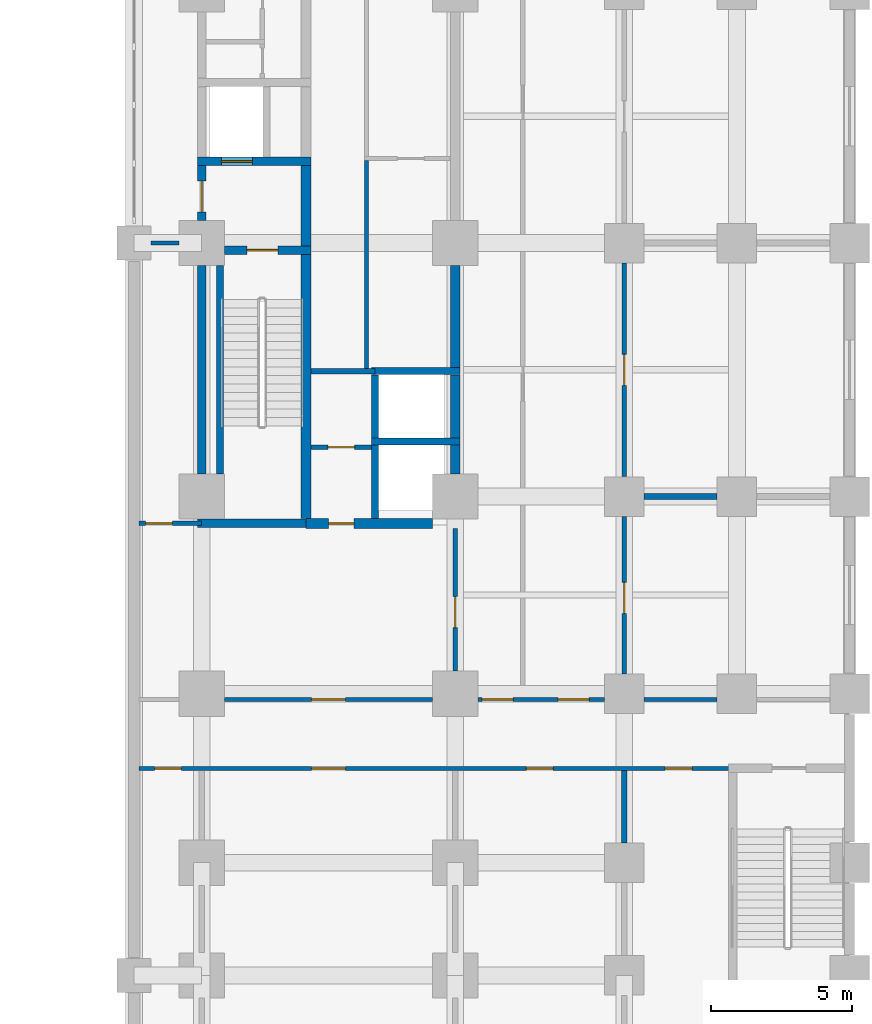
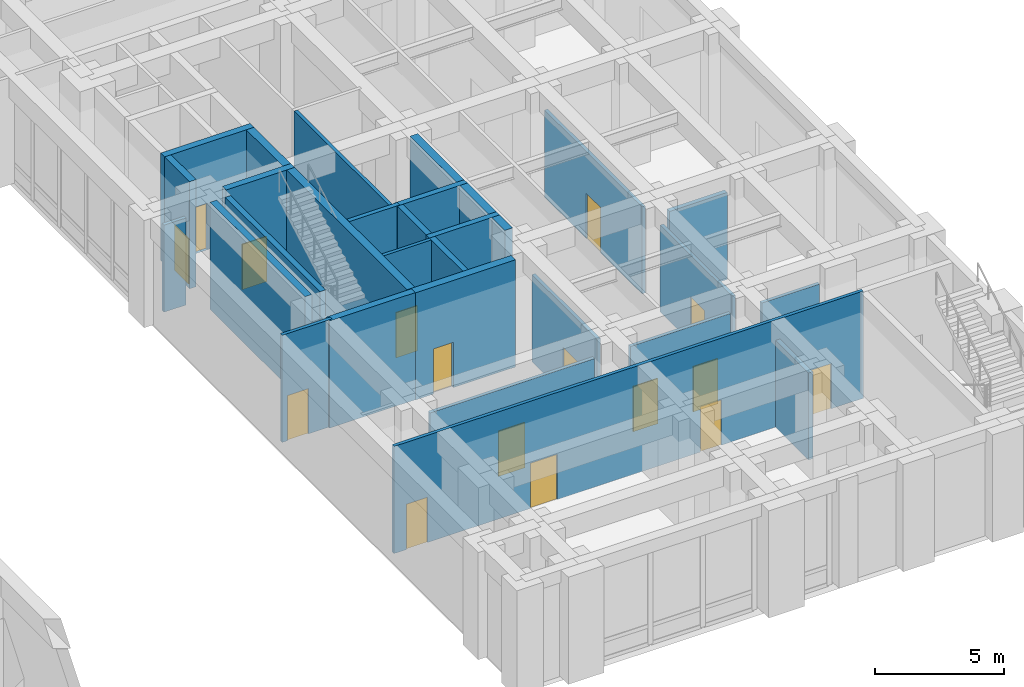
# One storey, part 10 of 21: 30 walls, 16 doors, 16 openings.
"""IFC4 building model written with IfcOpenShell, lengths in metres."""

from ifc_helpers import new_model, si_unit, direction, frame, frame_2d, origin, place, context, subcontext, project, spatial, rectangle, extrude, material, layer, layer_set, type_object, element, fill, save


model = new_model("IFC4")

# Units and contexts
model_context = context("Model", 3, precision=1e-05, world=origin(), true_north=direction((0.0, 1.0)))
body_context = subcontext(model_context, "Body", "Model", "MODEL_VIEW")
ifc_project = project(units=[si_unit("LENGTHUNIT", "METRE"), si_unit("AREAUNIT", "SQUARE_METRE"), si_unit("VOLUMEUNIT", "CUBIC_METRE"), si_unit("PLANEANGLEUNIT", "RADIAN"), si_unit("MASSUNIT", "GRAM", prefix="KILO")], contexts=[model_context])

# Site, building, storey
site_placement = place(None, origin())
site = spatial("IfcSite", under=ifc_project, at=site_placement, CompositionType="ELEMENT")
building_placement = place(site_placement, origin())
building = spatial("IfcBuilding", under=site, at=building_placement, Name="Zulmaris Gate Convention Tower", CompositionType="ELEMENT")
storey_placement = place(building_placement, frame((0.0, 0.0, 5.43994140625)))
storey = spatial("IfcBuildingStorey", under=building, at=storey_placement, Name="L01", CompositionType="ELEMENT", Elevation=5.43994140625)

# Walls
ifc_material_1 = material(Name="Concrete C50/60", Category="concrete")
ifc_layer_1 = layer(ifc_material_1, 0.25, Name="Concrete C50/60")
ifc_layer_set_1 = layer_set([ifc_layer_1], Name="Concrete C50/60")
wall_type_1 = type_object("IfcWallType", Name="CORE-250", PredefinedType="SOLIDWALL", material=ifc_layer_set_1)
for number, where, z_axis, x_axis, name in (
    (1, (17.02490234375, -7.050048828125, 0.0), (0.0, 0.0, 1.0), (1.0, 0.0, 0.0), "WL-L01-010"),
    (2, (17.02490234375, -4.550048828125, 0.0), (0.0, 0.0, 1.0), (1.0, 0.0, 0.0), "WL-L01-012"),
):
    element("IfcWall", number, at=place(storey_placement, frame(where, z_axis=z_axis, x_axis=x_axis)), inside=storey, type_object=wall_type_1, Name=name, PredefinedType="SOLIDWALL", context=body_context, shape_type="SweptSolid", body=[
        extrude(rectangle(XDim=3.150146484375, YDim=0.25, at=frame_2d((1.5751953125, 0.0))), origin(), (0.0, 0.0, 1.0), 5.08984375),
    ])
wall_1_placement = place(storey_placement, frame((11.64990234375, -8.196044921875, 0.0), z_axis=(0.0, 0.0, 1.0), x_axis=(0.0, 1.0, 0.0)))
element("IfcWall", 3, at=wall_1_placement, inside=storey, type_object=wall_type_1, Name="WL-L01-097", PredefinedType="SOLIDWALL", context=body_context, shape_type="SweptSolid", body=[
    extrude(rectangle(XDim=7.39208984375, YDim=0.25, at=frame_2d((3.696044921875, 0.0))), origin(), (0.0, 0.0, 1.0), 5.08984375),
])
wall_2_placement = place(storey_placement, frame((17.14990234375, -9.77294921875, 0.0), z_axis=(0.0, 0.0, 1.0), x_axis=(0.0, 1.0, 0.0)))
element("IfcWall", 4, at=wall_2_placement, inside=storey, type_object=wall_type_1, Name="WL-L01-103", PredefinedType="SOLIDWALL", context=body_context, shape_type="SweptSolid", body=[
    extrude(rectangle(XDim=2.595947265625, YDim=0.25, at=frame_2d((1.2978515625, 0.0))), origin(), (0.0, 0.0, 1.0), 5.08984375),
])
wall_3_placement = place(storey_placement, frame((17.14990234375, -6.923095703125, 0.0), z_axis=(0.0, 0.0, 1.0), x_axis=(0.0, 1.0, 0.0)))
element("IfcWall", 5, at=wall_3_placement, inside=storey, type_object=wall_type_1, Name="WL-L01-104", PredefinedType="SOLIDWALL", context=body_context, shape_type="SweptSolid", body=[
    extrude(rectangle(XDim=2.24609375, YDim=0.25, at=frame_2d((1.123046875, 0.0))), origin(), (0.0, 0.0, 1.0), 5.08984375),
])
ifc_layer_2 = layer(ifc_material_1, 0.300048828125, Name="Concrete C50/60")
ifc_layer_set_2 = layer_set([ifc_layer_2], Name="Concrete C50/60")
wall_type_2 = type_object("IfcWallType", Name="CORE-300", PredefinedType="SHEAR", material=ifc_layer_set_2)
wall_4_placement = place(storey_placement, frame((10.85009765625, -9.949951171875, 0.0), z_axis=(0.0, 0.0, 1.0), x_axis=(1.0, 0.0, 0.0)))
element("IfcWall", 6, at=wall_4_placement, inside=storey, type_object=wall_type_2, Name="WL-L01-007", PredefinedType="SHEAR", context=body_context, shape_type="SweptSolid", body=[
    extrude(rectangle(XDim=3.849853515625, YDim=0.300048828125, at=frame_2d((1.9248046875, 0.0))), origin(), (0.0, 0.0, 1.0), 5.08984375),
])

# Wall, opening, door
wall_5_placement = place(storey_placement, frame((11.803955078125, -0.25, 0.0), z_axis=(0.0, 0.0, 1.0), x_axis=(1.0, 0.0, 0.0)))
wall_5 = element("IfcWall", 7, at=wall_5_placement, inside=storey, type_object=wall_type_2, Name="WL-L01-015", PredefinedType="SHEAR", context=body_context, shape_type="SweptSolid", body=[
    extrude(rectangle(XDim=3.071044921875, YDim=0.300048828125, at=frame_2d((1.53564453125, 0.0))), origin(), (0.0, 0.0, 1.0), 5.08984375),
])
opening_1_placement = place(wall_5_placement, frame((0.7958984375, 0.0, 0.0)))
opening_1 = element("IfcOpeningElement", 8, at=opening_1_placement, cuts=wall_5, Name="Opening D-08", PredefinedType="OPENING", context=body_context, shape_type="SweptSolid", body=[
    extrude(rectangle(XDim=1.10009765625, YDim=2.14990234375, at=frame_2d((0.550048828125, 1.074951171875))), frame((0.0, 0.16015625, 0.0), z_axis=(0.0, -1.0, 0.0), x_axis=(1.0, 0.0, 0.0)), (0.0, 0.0, 1.0), 0.320068359375),
])
ifc_material_2 = material(Name="Fire-Rated Steel", Category="steel")
door_type_1 = type_object("IfcDoorType", Name="DR-1100-FD", OperationType="NOTDEFINED", PredefinedType="DOOR", material=ifc_material_2)
door_1_placement = place(opening_1_placement, origin())
door_1 = element("IfcDoor", 9, at=door_1_placement, inside=storey, type_object=door_type_1, Name="L01 Exit Stair ST-2 Door 04", OperationType="SINGLE_SWING_LEFT", OverallHeight=2.14990234375, OverallWidth=1.10009765625, PredefinedType="DOOR", context=body_context, shape_type="SweptSolid", body=[
    extrude(rectangle(XDim=1.10009765625, YDim=2.14990234375, at=frame_2d((0.550048828125, 1.074951171875))), frame((0.0, 0.02490234375, 0.0), z_axis=(0.0, -1.0, 0.0), x_axis=(1.0, 0.0, 0.0)), (0.0, 0.0, 1.0), 0.050048828125),
])
fill(opening_1, door_1)

wall_6_placement = place(storey_placement, frame((10.85009765625, 2.89990234375, 0.0), z_axis=(0.0, 0.0, 1.0), x_axis=(1.0, 0.0, 0.0)))
wall_6 = element("IfcWall", 10, at=wall_6_placement, inside=storey, type_object=wall_type_2, Name="WL-L01-018", PredefinedType="SHEAR", context=body_context, shape_type="SweptSolid", body=[
    extrude(rectangle(XDim=4.02490234375, YDim=0.300048828125, at=frame_2d((2.012451171875, 0.0))), origin(), (0.0, 0.0, 1.0), 5.08984375),
])
opening_2_placement = place(wall_6_placement, frame((0.85009765625, 0.0, 0.0)))
opening_2 = element("IfcOpeningElement", 11, at=opening_2_placement, cuts=wall_6, Name="Opening D-06", PredefinedType="OPENING", context=body_context, shape_type="SweptSolid", body=[
    extrude(rectangle(XDim=1.10009765625, YDim=2.199951171875, at=frame_2d((0.550048828125, 1.10009765625))), frame((0.0, 0.16015625, 0.0), z_axis=(0.0, -1.0, 0.0), x_axis=(1.0, 0.0, 0.0)), (0.0, 0.0, 1.0), 0.320068359375),
])
ifc_material_3 = material(Name="Brushed Stainless Steel", Category="steel")
door_type_2 = type_object("IfcDoorType", Name="LD-1100", OperationType="NOTDEFINED", PredefinedType="DOOR", material=ifc_material_3)
door_2_placement = place(opening_2_placement, origin())
door_2 = element("IfcDoor", 12, at=door_2_placement, inside=storey, type_object=door_type_2, Name="L01 Lift Landing Door LF-02 06", OperationType="SLIDING_TO_RIGHT", OverallHeight=2.199951171875, OverallWidth=1.10009765625, PredefinedType="DOOR", context=body_context, shape_type="SweptSolid", body=[
    extrude(rectangle(XDim=1.10009765625, YDim=2.199951171875, at=frame_2d((0.550048828125, 1.10009765625))), frame((0.0, 0.02490234375, 0.0), z_axis=(0.0, -1.0, 0.0), x_axis=(1.0, 0.0, 0.0)), (0.0, 0.0, 1.0), 0.050048828125),
])
fill(opening_2, door_2)

# Wall
wall_7_placement = place(storey_placement, frame((11.0, -8.196044921875, 0.0), z_axis=(0.0, 0.0, 1.0), x_axis=(0.0, 1.0, 0.0)))
element("IfcWall", 13, at=wall_7_placement, inside=storey, type_object=wall_type_2, Name="WL-L01-093", PredefinedType="SHEAR", context=body_context, shape_type="SweptSolid", body=[
    extrude(rectangle(XDim=7.39208984375, YDim=0.300048828125, at=frame_2d((3.696044921875, 0.0))), origin(), (0.0, 0.0, 1.0), 5.08984375),
])

# Wall, opening, door
wall_8_placement = place(storey_placement, frame((11.0, 0.803955078125, 0.0), z_axis=(0.0, 0.0, 1.0), x_axis=(0.0, 1.0, 0.0)))
wall_8 = element("IfcWall", 14, at=wall_8_placement, inside=storey, type_object=wall_type_2, Name="WL-L01-094", PredefinedType="SHEAR", context=body_context, shape_type="SweptSolid", body=[
    extrude(rectangle(XDim=1.944091796875, YDim=0.300048828125, at=frame_2d((0.97216796875, 0.0))), origin(), (0.0, 0.0, 1.0), 5.08984375),
])
opening_3_placement = place(wall_8_placement, frame((0.2958984375, 0.0, 0.0)))
opening_3 = element("IfcOpeningElement", 15, at=opening_3_placement, cuts=wall_8, Name="Opening D-08", PredefinedType="OPENING", context=body_context, shape_type="SweptSolid", body=[
    extrude(rectangle(XDim=1.10009765625, YDim=2.14990234375, at=frame_2d((0.550048828125, 1.074951171875))), frame((0.0, 0.16015625, 0.0), z_axis=(0.0, -1.0, 0.0), x_axis=(1.0, 0.0, 0.0)), (0.0, 0.0, 1.0), 0.320068359375),
])
door_3_placement = place(opening_3_placement, origin())
door_3 = element("IfcDoor", 16, at=door_3_placement, inside=storey, type_object=door_type_1, Name="L01 East Firefighting Lobby Door 05", OperationType="SINGLE_SWING_RIGHT", OverallHeight=2.14990234375, OverallWidth=1.10009765625, PredefinedType="DOOR", context=body_context, shape_type="SweptSolid", body=[
    extrude(rectangle(XDim=1.10009765625, YDim=2.14990234375, at=frame_2d((0.550048828125, 1.074951171875))), frame((0.0, 0.02490234375, 0.0), z_axis=(0.0, -1.0, 0.0), x_axis=(1.0, 0.0, 0.0)), (0.0, 0.0, 1.0), 0.050048828125),
])
fill(opening_3, door_3)

ifc_material_4 = material(Name="Concrete C55/67", Category="concrete")
ifc_layer_3 = layer(ifc_material_4, 0.35009765625, Name="Concrete C55/67")
ifc_layer_set_3 = layer_set([ifc_layer_3], Name="Concrete C55/67")
wall_type_3 = type_object("IfcWallType", Name="CORE-350", PredefinedType="SHEAR", material=ifc_layer_set_3)
wall_9_placement = place(storey_placement, frame((14.699951171875, -9.949951171875, 0.0), z_axis=(0.0, 0.0, 1.0), x_axis=(1.0, 0.0, 0.0)))
wall_9 = element("IfcWall", 17, at=wall_9_placement, inside=storey, type_object=wall_type_3, Name="WL-L01-008", PredefinedType="SHEAR", context=body_context, shape_type="SweptSolid", body=[
    extrude(rectangle(XDim=4.49609375, YDim=0.35009765625, at=frame_2d((2.248046875, 0.0))), origin(), (0.0, 0.0, 1.0), 5.08984375),
])
opening_4_placement = place(wall_9_placement, frame((0.800048828125, 0.0, 0.0)))
opening_4 = element("IfcOpeningElement", 18, at=opening_4_placement, cuts=wall_9, Name="Opening D-12", PredefinedType="OPENING", context=body_context, shape_type="SweptSolid", body=[
    extrude(rectangle(XDim=0.89990234375, YDim=2.14990234375, at=frame_2d((0.449951171875, 1.074951171875))), frame((0.0, 0.18505859375, 0.0), z_axis=(0.0, -1.0, 0.0), x_axis=(1.0, 0.0, 0.0)), (0.0, 0.0, 1.0), 0.3701171875),
])
ifc_material_5 = material(Name="Fire-Rated Timber", Category="wood")
door_type_3 = type_object("IfcDoorType", Name="DR-900-FD", OperationType="NOTDEFINED", PredefinedType="DOOR", material=ifc_material_5)
door_4_placement = place(opening_4_placement, origin())
door_4 = element("IfcDoor", 19, at=door_4_placement, inside=storey, type_object=door_type_3, Name="L01 East Cleaners Store Door 19", OperationType="SINGLE_SWING_LEFT", OverallHeight=2.14990234375, OverallWidth=0.89990234375, PredefinedType="DOOR", context=body_context, shape_type="SweptSolid", body=[
    extrude(rectangle(XDim=0.89990234375, YDim=2.14990234375, at=frame_2d((0.449951171875, 1.074951171875))), frame((0.0, 0.02490234375, 0.0), z_axis=(0.0, -1.0, 0.0), x_axis=(1.0, 0.0, 0.0)), (0.0, 0.0, 1.0), 0.050048828125),
])
fill(opening_4, door_4)

# Walls
wall_10_placement = place(storey_placement, frame((14.699951171875, -9.77294921875, 0.0), z_axis=(0.0, 0.0, 1.0), x_axis=(0.0, 1.0, 0.0)))
element("IfcWall", 20, at=wall_10_placement, inside=storey, type_object=wall_type_3, Name="WL-L01-099", PredefinedType="SHEAR", context=body_context, shape_type="SweptSolid", body=[
    extrude(rectangle(XDim=9.370849609375, YDim=0.35009765625, at=frame_2d((4.685546875, 0.0))), origin(), (0.0, 0.0, 1.0), 5.08984375),
])
wall_11_placement = place(storey_placement, frame((14.699951171875, -0.097900390625, 0.0), z_axis=(0.0, 0.0, 1.0), x_axis=(0.0, 1.0, 0.0)))
element("IfcWall", 21, at=wall_11_placement, inside=storey, type_object=wall_type_3, Name="WL-L01-100", PredefinedType="SHEAR", context=body_context, shape_type="SweptSolid", body=[
    extrude(rectangle(XDim=2.845947265625, YDim=0.35009765625, at=frame_2d((1.4228515625, 0.0))), origin(), (0.0, 0.0, 1.0), 5.08984375),
])
wall_12_placement = place(storey_placement, frame((20.0, -8.196044921875, 0.0), z_axis=(0.0, 0.0, 1.0), x_axis=(0.0, 1.0, 0.0)))
element("IfcWall", 22, at=wall_12_placement, inside=storey, type_object=wall_type_3, Name="WL-L01-105", PredefinedType="SHEAR", context=body_context, shape_type="SweptSolid", body=[
    extrude(rectangle(XDim=1.01904296875, YDim=0.35009765625, at=frame_2d((0.509521484375, 0.0))), origin(), (0.0, 0.0, 1.0), 5.08984375),
])
wall_13_placement = place(storey_placement, frame((20.0, -6.923095703125, 0.0), z_axis=(0.0, 0.0, 1.0), x_axis=(0.0, 1.0, 0.0)))
element("IfcWall", 23, at=wall_13_placement, inside=storey, type_object=wall_type_3, Name="WL-L01-106", PredefinedType="SHEAR", context=body_context, shape_type="SweptSolid", body=[
    extrude(rectangle(XDim=2.24609375, YDim=0.35009765625, at=frame_2d((1.123046875, 0.0))), origin(), (0.0, 0.0, 1.0), 5.08984375),
])
wall_14_placement = place(storey_placement, frame((20.0, -4.423095703125, 0.0), z_axis=(0.0, 0.0, 1.0), x_axis=(0.0, 1.0, 0.0)))
element("IfcWall", 24, at=wall_14_placement, inside=storey, type_object=wall_type_3, Name="WL-L01-107", PredefinedType="SHEAR", context=body_context, shape_type="SweptSolid", body=[
    extrude(rectangle(XDim=3.619140625, YDim=0.35009765625, at=frame_2d((1.8095703125, 0.0))), origin(), (0.0, 0.0, 1.0), 5.08984375),
])

# Wall, openings, doors
ifc_material_6 = material(Name="Gypsum Metal Stud Partition")
ifc_layer_4 = layer(ifc_material_6, 0.14990234375, Name="Gypsum Metal Stud Partition")
ifc_layer_set_4 = layer_set([ifc_layer_4], Name="Gypsum Metal Stud Partition")
wall_type_4 = type_object("IfcWallType", Name="PART-150", PredefinedType="PARTITIONING", material=ifc_layer_set_4)
wall_15_placement = place(storey_placement, frame((8.764892578125, -18.64990234375, 0.0), z_axis=(0.0, 0.0, 1.0), x_axis=(1.0, 0.0, 0.0)))
wall_15 = element("IfcWall", 25, at=wall_15_placement, inside=storey, type_object=wall_type_4, Name="WL-L01-031", PredefinedType="PARTITIONING", context=body_context, shape_type="SweptSolid", body=[
    extrude(rectangle(XDim=21.085205078125, YDim=0.14990234375, at=frame_2d((10.54248046875, 0.0))), origin(), (0.0, 0.0, 1.0), 5.08984375),
])
opening_5_placement = place(wall_15_placement, frame((0.56005859375, 0.0, 0.0)))
opening_5 = element("IfcOpeningElement", 26, at=opening_5_placement, cuts=wall_15, Name="Opening D-11", PredefinedType="OPENING", context=body_context, shape_type="SweptSolid", body=[
    extrude(rectangle(XDim=0.949951171875, YDim=2.14990234375, at=frame_2d((0.47509765625, 1.074951171875))), frame((0.0, 0.0849609375, 0.0), z_axis=(0.0, -1.0, 0.0), x_axis=(1.0, 0.0, 0.0)), (0.0, 0.0, 1.0), 0.169921875),
])
opening_6_placement = place(wall_15_placement, frame((6.135009765625, 0.0, 0.0)))
opening_6 = element("IfcOpeningElement", 27, at=opening_6_placement, cuts=wall_15, Name="Opening D-13", PredefinedType="OPENING", context=body_context, shape_type="SweptSolid", body=[
    extrude(rectangle(XDim=1.199951171875, YDim=2.14990234375, at=frame_2d((0.60009765625, 1.074951171875))), frame((0.0, 0.0849609375, 0.0), z_axis=(0.0, -1.0, 0.0), x_axis=(1.0, 0.0, 0.0)), (0.0, 0.0, 1.0), 0.169921875),
])
opening_7_placement = place(wall_15_placement, frame((13.760009765625, 0.0, 0.0)))
opening_7 = element("IfcOpeningElement", 28, at=opening_7_placement, cuts=wall_15, Name="Opening D-11", PredefinedType="OPENING", context=body_context, shape_type="SweptSolid", body=[
    extrude(rectangle(XDim=0.949951171875, YDim=2.14990234375, at=frame_2d((0.47509765625, 1.074951171875))), frame((0.0, 0.0849609375, 0.0), z_axis=(0.0, -1.0, 0.0), x_axis=(1.0, 0.0, 0.0)), (0.0, 0.0, 1.0), 0.169921875),
])
opening_8_placement = place(wall_15_placement, frame((18.68994140625, 0.0, 0.0)))
opening_8 = element("IfcOpeningElement", 29, at=opening_8_placement, cuts=wall_15, Name="Opening D-11", PredefinedType="OPENING", context=body_context, shape_type="SweptSolid", body=[
    extrude(rectangle(XDim=0.949951171875, YDim=2.14990234375, at=frame_2d((0.47509765625, 1.074951171875))), frame((0.0, 0.0849609375, 0.0), z_axis=(0.0, -1.0, 0.0), x_axis=(1.0, 0.0, 0.0)), (0.0, 0.0, 1.0), 0.169921875),
])
door_type_4 = type_object("IfcDoorType", Name="DR-1200-FD", OperationType="NOTDEFINED", PredefinedType="DOOR", material=ifc_material_2)
door_5_placement = place(opening_6_placement, origin())
door_5 = element("IfcDoor", 30, at=door_5_placement, inside=storey, type_object=door_type_4, Name="L01 South-East Convention Hall Door 85", OperationType="SINGLE_SWING_LEFT", OverallHeight=2.14990234375, OverallWidth=1.199951171875, PredefinedType="DOOR", context=body_context, shape_type="SweptSolid", body=[
    extrude(rectangle(XDim=1.199951171875, YDim=2.14990234375, at=frame_2d((0.60009765625, 1.074951171875))), frame((0.0, 0.02490234375, 0.0), z_axis=(0.0, -1.0, 0.0), x_axis=(1.0, 0.0, 0.0)), (0.0, 0.0, 1.0), 0.050048828125),
])
fill(opening_6, door_5)
door_type_5 = type_object("IfcDoorType", Name="DR-950-FD", OperationType="NOTDEFINED", PredefinedType="DOOR", material=ifc_material_5)
door_6_placement = place(opening_5_placement, origin())
door_6 = element("IfcDoor", 31, at=door_6_placement, inside=storey, type_object=door_type_5, Name="L01 South-East Chair Store Door 84", OperationType="SINGLE_SWING_RIGHT", OverallHeight=2.14990234375, OverallWidth=0.949951171875, PredefinedType="DOOR", context=body_context, shape_type="SweptSolid", body=[
    extrude(rectangle(XDim=0.949951171875, YDim=2.14990234375, at=frame_2d((0.47509765625, 1.074951171875))), frame((0.0, 0.02490234375, 0.0), z_axis=(0.0, -1.0, 0.0), x_axis=(1.0, 0.0, 0.0)), (0.0, 0.0, 1.0), 0.050048828125),
])
fill(opening_5, door_6)
door_7_placement = place(opening_7_placement, origin())
door_7 = element("IfcDoor", 32, at=door_7_placement, inside=storey, type_object=door_type_5, Name="L01 South-East Seminar Room Door 86", OperationType="SINGLE_SWING_RIGHT", OverallHeight=2.14990234375, OverallWidth=0.949951171875, PredefinedType="DOOR", context=body_context, shape_type="SweptSolid", body=[
    extrude(rectangle(XDim=0.949951171875, YDim=2.14990234375, at=frame_2d((0.47509765625, 1.074951171875))), frame((0.0, 0.02490234375, 0.0), z_axis=(0.0, -1.0, 0.0), x_axis=(1.0, 0.0, 0.0)), (0.0, 0.0, 1.0), 0.050048828125),
])
fill(opening_7, door_7)
door_8_placement = place(opening_8_placement, origin())
door_8 = element("IfcDoor", 33, at=door_8_placement, inside=storey, type_object=door_type_5, Name="L01 Interpreter Booth Office Door 87", OperationType="SINGLE_SWING_LEFT", OverallHeight=2.14990234375, OverallWidth=0.949951171875, PredefinedType="DOOR", context=body_context, shape_type="SweptSolid", body=[
    extrude(rectangle(XDim=0.949951171875, YDim=2.14990234375, at=frame_2d((0.47509765625, 1.074951171875))), frame((0.0, 0.02490234375, 0.0), z_axis=(0.0, -1.0, 0.0), x_axis=(1.0, 0.0, 0.0)), (0.0, 0.0, 1.0), 0.050048828125),
])
fill(opening_8, door_8)

# Wall, opening, door
wall_16_placement = place(storey_placement, frame((11.805908203125, -16.199951171875, 0.0), z_axis=(0.0, 0.0, 1.0), x_axis=(1.0, 0.0, 0.0)))
wall_16 = element("IfcWall", 34, at=wall_16_placement, inside=storey, type_object=wall_type_4, Name="WL-L01-033S1", PredefinedType="PARTITIONING", context=body_context, shape_type="SweptSolid", body=[
    extrude(rectangle(XDim=7.38818359375, YDim=0.14990234375, at=frame_2d((3.694091796875, 0.0))), origin(), (0.0, 0.0, 1.0), 4.132080078125),
])
opening_9_placement = place(wall_16_placement, frame((3.093994140625, 0.0, 0.0)))
opening_9 = element("IfcOpeningElement", 35, at=opening_9_placement, cuts=wall_16, Name="Opening D-13", PredefinedType="OPENING", context=body_context, shape_type="SweptSolid", body=[
    extrude(rectangle(XDim=1.199951171875, YDim=2.14990234375, at=frame_2d((0.60009765625, 1.074951171875))), frame((0.0, 0.0849609375, 0.0), z_axis=(0.0, -1.0, 0.0), x_axis=(1.0, 0.0, 0.0)), (0.0, 0.0, 1.0), 0.169921875),
])
door_9_placement = place(opening_9_placement, origin())
door_9 = element("IfcDoor", 36, at=door_9_placement, inside=storey, type_object=door_type_4, Name="L01 SE Stair Link Door 50", OperationType="SINGLE_SWING_RIGHT", OverallHeight=2.14990234375, OverallWidth=1.199951171875, PredefinedType="DOOR", context=body_context, shape_type="SweptSolid", body=[
    extrude(rectangle(XDim=1.199951171875, YDim=2.14990234375, at=frame_2d((0.60009765625, 1.074951171875))), frame((0.0, 0.02490234375, 0.0), z_axis=(0.0, -1.0, 0.0), x_axis=(1.0, 0.0, 0.0)), (0.0, 0.0, 1.0), 0.050048828125),
])
fill(opening_9, door_9)

# Wall, openings, doors
wall_17_placement = place(storey_placement, frame((20.805908203125, -16.199951171875, 0.0), z_axis=(0.0, 0.0, 1.0), x_axis=(1.0, 0.0, 0.0)))
wall_17 = element("IfcWall", 37, at=wall_17_placement, inside=storey, type_object=wall_type_4, Name="WL-L01-033S2", PredefinedType="PARTITIONING", context=body_context, shape_type="SweptSolid", body=[
    extrude(rectangle(XDim=4.488037109375, YDim=0.14990234375, at=frame_2d((2.244140625, 0.0))), origin(), (0.0, 0.0, 1.0), 4.132080078125),
])
opening_10_placement = place(wall_17_placement, frame((0.14990234375, 0.0, 0.0)))
opening_10 = element("IfcOpeningElement", 38, at=opening_10_placement, cuts=wall_17, Name="Opening D-08", PredefinedType="OPENING", context=body_context, shape_type="SweptSolid", body=[
    extrude(rectangle(XDim=1.10009765625, YDim=2.14990234375, at=frame_2d((0.550048828125, 1.074951171875))), frame((0.0, 0.0849609375, 0.0), z_axis=(0.0, -1.0, 0.0), x_axis=(1.0, 0.0, 0.0)), (0.0, 0.0, 1.0), 0.169921875),
])
opening_11_placement = place(wall_17_placement, frame((2.843994140625, 0.0, 0.0)))
opening_11 = element("IfcOpeningElement", 39, at=opening_11_placement, cuts=wall_17, Name="Opening D-08", PredefinedType="OPENING", context=body_context, shape_type="SweptSolid", body=[
    extrude(rectangle(XDim=1.10009765625, YDim=2.14990234375, at=frame_2d((0.550048828125, 1.074951171875))), frame((0.0, 0.0849609375, 0.0), z_axis=(0.0, -1.0, 0.0), x_axis=(1.0, 0.0, 0.0)), (0.0, 0.0, 1.0), 0.169921875),
])
door_10_placement = place(opening_10_placement, origin())
door_10 = element("IfcDoor", 40, at=door_10_placement, inside=storey, type_object=door_type_1, Name="L01 East Exit South Door 51", OperationType="SINGLE_SWING_LEFT", OverallHeight=2.14990234375, OverallWidth=1.10009765625, PredefinedType="DOOR", context=body_context, shape_type="SweptSolid", body=[
    extrude(rectangle(XDim=1.10009765625, YDim=2.14990234375, at=frame_2d((0.550048828125, 1.074951171875))), frame((0.0, 0.02490234375, 0.0), z_axis=(0.0, -1.0, 0.0), x_axis=(1.0, 0.0, 0.0)), (0.0, 0.0, 1.0), 0.050048828125),
])
fill(opening_10, door_10)
door_11_placement = place(opening_11_placement, origin())
door_11 = element("IfcDoor", 41, at=door_11_placement, inside=storey, type_object=door_type_1, Name="L01 East Promenade Stair Door 74", OperationType="SINGLE_SWING_RIGHT", OverallHeight=2.14990234375, OverallWidth=1.10009765625, PredefinedType="DOOR", context=body_context, shape_type="SweptSolid", body=[
    extrude(rectangle(XDim=1.10009765625, YDim=2.14990234375, at=frame_2d((0.550048828125, 1.074951171875))), frame((0.0, 0.02490234375, 0.0), z_axis=(0.0, -1.0, 0.0), x_axis=(1.0, 0.0, 0.0)), (0.0, 0.0, 1.0), 0.050048828125),
])
fill(opening_11, door_11)

# Wall
wall_18_placement = place(storey_placement, frame((26.7060546875, -16.199951171875, 0.0), z_axis=(0.0, 0.0, 1.0), x_axis=(1.0, 0.0, 0.0)))
element("IfcWall", 42, at=wall_18_placement, inside=storey, type_object=wall_type_4, Name="WL-L01-033S3", PredefinedType="PARTITIONING", context=body_context, shape_type="SweptSolid", body=[
    extrude(rectangle(XDim=2.587890625, YDim=0.14990234375, at=frame_2d((1.2939453125, 0.0))), origin(), (0.0, 0.0, 1.0), 4.132080078125),
])

# Wall, opening, door
wall_19_placement = place(storey_placement, frame((8.764892578125, -9.949951171875, 0.0), z_axis=(0.0, 0.0, 1.0), x_axis=(1.0, 0.0, 0.0)))
wall_19 = element("IfcWall", 43, at=wall_19_placement, inside=storey, type_object=wall_type_4, Name="WL-L01-036", PredefinedType="PARTITIONING", context=body_context, shape_type="SweptSolid", body=[
    extrude(rectangle(XDim=2.235107421875, YDim=0.14990234375, at=frame_2d((1.11767578125, 0.0))), origin(), (0.0, 0.0, 1.0), 5.08984375),
])
opening_12_placement = place(wall_19_placement, frame((0.239990234375, 0.0, 0.0)))
opening_12 = element("IfcOpeningElement", 44, at=opening_12_placement, cuts=wall_19, Name="Opening D-11", PredefinedType="OPENING", context=body_context, shape_type="SweptSolid", body=[
    extrude(rectangle(XDim=0.949951171875, YDim=2.14990234375, at=frame_2d((0.47509765625, 1.074951171875))), frame((0.0, 0.0849609375, 0.0), z_axis=(0.0, -1.0, 0.0), x_axis=(1.0, 0.0, 0.0)), (0.0, 0.0, 1.0), 0.169921875),
])
door_12_placement = place(opening_12_placement, origin())
door_12 = element("IfcDoor", 45, at=door_12_placement, inside=storey, type_object=door_type_5, Name="L01 SE Arch Store Door 31", OperationType="SINGLE_SWING_LEFT", OverallHeight=2.14990234375, OverallWidth=0.949951171875, PredefinedType="DOOR", context=body_context, shape_type="SweptSolid", body=[
    extrude(rectangle(XDim=0.949951171875, YDim=2.14990234375, at=frame_2d((0.47509765625, 1.074951171875))), frame((0.0, 0.02490234375, 0.0), z_axis=(0.0, -1.0, 0.0), x_axis=(1.0, 0.0, 0.0)), (0.0, 0.0, 1.0), 0.050048828125),
])
fill(opening_12, door_12)

wall_20_placement = place(storey_placement, frame((14.8779296875, -7.25, 0.0), z_axis=(0.0, 0.0, 1.0), x_axis=(1.0, 0.0, 0.0)))
wall_20 = element("IfcWall", 46, at=wall_20_placement, inside=storey, type_object=wall_type_4, Name="WL-L01-039", PredefinedType="PARTITIONING", context=body_context, shape_type="SweptSolid", body=[
    extrude(rectangle(XDim=2.14404296875, YDim=0.14990234375, at=frame_2d((1.072021484375, 0.0))), origin(), (0.0, 0.0, 1.0), 5.08984375),
])
opening_13_placement = place(wall_20_placement, frame((0.596923828125, 0.0, 0.0)))
opening_13 = element("IfcOpeningElement", 47, at=opening_13_placement, cuts=wall_20, Name="Opening D-11", PredefinedType="OPENING", context=body_context, shape_type="SweptSolid", body=[
    extrude(rectangle(XDim=0.949951171875, YDim=2.14990234375, at=frame_2d((0.47509765625, 1.074951171875))), frame((0.0, 0.0849609375, 0.0), z_axis=(0.0, -1.0, 0.0), x_axis=(1.0, 0.0, 0.0)), (0.0, 0.0, 1.0), 0.169921875),
])
door_13_placement = place(opening_13_placement, origin())
door_13 = element("IfcDoor", 48, at=door_13_placement, inside=storey, type_object=door_type_5, Name="L01 East Meter Store Door 20", OperationType="SINGLE_SWING_RIGHT", OverallHeight=2.14990234375, OverallWidth=0.949951171875, PredefinedType="DOOR", context=body_context, shape_type="SweptSolid", body=[
    extrude(rectangle(XDim=0.949951171875, YDim=2.14990234375, at=frame_2d((0.47509765625, 1.074951171875))), frame((0.0, 0.02490234375, 0.0), z_axis=(0.0, -1.0, 0.0), x_axis=(1.0, 0.0, 0.0)), (0.0, 0.0, 1.0), 0.050048828125),
])
fill(opening_13, door_13)

# Walls
wall_21_placement = place(storey_placement, frame((9.2060546875, 0.0, 0.0), z_axis=(0.0, 0.0, 1.0), x_axis=(1.0, 0.0, 0.0)))
element("IfcWall", 49, at=wall_21_placement, inside=storey, type_object=wall_type_4, Name="WL-L01-044", PredefinedType="PARTITIONING", context=body_context, shape_type="SweptSolid", body=[
    extrude(rectangle(XDim=0.988037109375, YDim=0.14990234375, at=frame_2d((0.494140625, 0.0))), origin(), (0.0, 0.0, 1.0), 4.132080078125),
])
wall_22_placement = place(storey_placement, frame((16.85009765625, -4.447021484375, 0.0), z_axis=(0.0, 0.0, 1.0), x_axis=(0.0, 1.0, 0.0)))
element("IfcWall", 50, at=wall_22_placement, inside=storey, type_object=wall_type_4, Name="WL-L01-144", PredefinedType="PARTITIONING", context=body_context, shape_type="SweptSolid", body=[
    extrude(rectangle(XDim=7.369140625, YDim=0.14990234375, at=frame_2d((3.6845703125, 0.0))), origin(), (0.0, 0.0, 1.0), 5.08984375),
])

# Wall, opening, door
wall_23_placement = place(storey_placement, frame((20.0, -15.194091796875, 0.0), z_axis=(0.0, 0.0, 1.0), x_axis=(0.0, 1.0, 0.0)))
wall_23 = element("IfcWall", 51, at=wall_23_placement, inside=storey, type_object=wall_type_4, Name="WL-L01-147", PredefinedType="PARTITIONING", context=body_context, shape_type="SweptSolid", body=[
    extrude(rectangle(XDim=5.066162109375, YDim=0.14990234375, at=frame_2d((2.533203125, 0.0))), origin(), (0.0, 0.0, 1.0), 4.132080078125),
])
opening_14_placement = place(wall_23_placement, frame((1.5439453125, 0.0, 0.0)))
opening_14 = element("IfcOpeningElement", 52, at=opening_14_placement, cuts=wall_23, Name="Opening D-08", PredefinedType="OPENING", context=body_context, shape_type="SweptSolid", body=[
    extrude(rectangle(XDim=1.10009765625, YDim=2.14990234375, at=frame_2d((0.550048828125, 1.074951171875))), frame((0.0, 0.0849609375, 0.0), z_axis=(0.0, -1.0, 0.0), x_axis=(1.0, 0.0, 0.0)), (0.0, 0.0, 1.0), 0.169921875),
])
door_14_placement = place(opening_14_placement, origin())
door_14 = element("IfcDoor", 53, at=door_14_placement, inside=storey, type_object=door_type_1, Name="L01 SE Passage Link Door 49", OperationType="SINGLE_SWING_LEFT", OverallHeight=2.14990234375, OverallWidth=1.10009765625, PredefinedType="DOOR", context=body_context, shape_type="SweptSolid", body=[
    extrude(rectangle(XDim=1.10009765625, YDim=2.14990234375, at=frame_2d((0.550048828125, 1.074951171875))), frame((0.0, 0.02490234375, 0.0), z_axis=(0.0, -1.0, 0.0), x_axis=(1.0, 0.0, 0.0)), (0.0, 0.0, 1.0), 0.050048828125),
])
fill(opening_14, door_14)

wall_24_placement = place(storey_placement, frame((26.0, -15.2939453125, 0.0), z_axis=(0.0, 0.0, 1.0), x_axis=(0.0, 1.0, 0.0)))
wall_24 = element("IfcWall", 54, at=wall_24_placement, inside=storey, type_object=wall_type_4, Name="WL-L01-155", PredefinedType="PARTITIONING", context=body_context, shape_type="SweptSolid", body=[
    extrude(rectangle(XDim=5.587890625, YDim=0.14990234375, at=frame_2d((2.7939453125, 0.0))), origin(), (0.0, 0.0, 1.0), 4.132080078125),
])
opening_15_placement = place(wall_24_placement, frame((2.14404296875, 0.0, 0.0)))
opening_15 = element("IfcOpeningElement", 55, at=opening_15_placement, cuts=wall_24, Name="Opening D-08", PredefinedType="OPENING", context=body_context, shape_type="SweptSolid", body=[
    extrude(rectangle(XDim=1.10009765625, YDim=2.14990234375, at=frame_2d((0.550048828125, 1.074951171875))), frame((0.0, 0.0849609375, 0.0), z_axis=(0.0, -1.0, 0.0), x_axis=(1.0, 0.0, 0.0)), (0.0, 0.0, 1.0), 0.169921875),
])
door_15_placement = place(opening_15_placement, origin())
door_15 = element("IfcDoor", 56, at=door_15_placement, inside=storey, type_object=door_type_1, Name="L01 East Room E1 Door 75", OperationType="SINGLE_SWING_LEFT", OverallHeight=2.14990234375, OverallWidth=1.10009765625, PredefinedType="DOOR", context=body_context, shape_type="SweptSolid", body=[
    extrude(rectangle(XDim=1.10009765625, YDim=2.14990234375, at=frame_2d((0.550048828125, 1.074951171875))), frame((0.0, 0.02490234375, 0.0), z_axis=(0.0, -1.0, 0.0), x_axis=(1.0, 0.0, 0.0)), (0.0, 0.0, 1.0), 0.050048828125),
])
fill(opening_15, door_15)

wall_25_placement = place(storey_placement, frame((26.0, -8.2939453125, 0.0), z_axis=(0.0, 0.0, 1.0), x_axis=(0.0, 1.0, 0.0)))
wall_25 = element("IfcWall", 57, at=wall_25_placement, inside=storey, type_object=wall_type_4, Name="WL-L01-156", PredefinedType="PARTITIONING", context=body_context, shape_type="SweptSolid", body=[
    extrude(rectangle(XDim=7.587890625, YDim=0.14990234375, at=frame_2d((3.7939453125, 0.0))), origin(), (0.0, 0.0, 1.0), 4.132080078125),
])
opening_16_placement = place(wall_25_placement, frame((3.243896484375, 0.0, 0.0)))
opening_16 = element("IfcOpeningElement", 58, at=opening_16_placement, cuts=wall_25, Name="Opening D-08", PredefinedType="OPENING", context=body_context, shape_type="SweptSolid", body=[
    extrude(rectangle(XDim=1.10009765625, YDim=2.14990234375, at=frame_2d((0.550048828125, 1.074951171875))), frame((0.0, 0.0849609375, 0.0), z_axis=(0.0, -1.0, 0.0), x_axis=(1.0, 0.0, 0.0)), (0.0, 0.0, 1.0), 0.169921875),
])
door_16_placement = place(opening_16_placement, origin())
door_16 = element("IfcDoor", 59, at=door_16_placement, inside=storey, type_object=door_type_1, Name="L01 East Room E2 Door 76", OperationType="SINGLE_SWING_RIGHT", OverallHeight=2.14990234375, OverallWidth=1.10009765625, PredefinedType="DOOR", context=body_context, shape_type="SweptSolid", body=[
    extrude(rectangle(XDim=1.10009765625, YDim=2.14990234375, at=frame_2d((0.550048828125, 1.074951171875))), frame((0.0, 0.02490234375, 0.0), z_axis=(0.0, -1.0, 0.0), x_axis=(1.0, 0.0, 0.0)), (0.0, 0.0, 1.0), 0.050048828125),
])
fill(opening_16, door_16)

# Walls
ifc_material_7 = material(Name="Autoclaved Aerated Concrete Block and Plasterboard", Category="concrete")
ifc_layer_5 = layer(ifc_material_7, 0.199951171875, Name="Autoclaved Aerated Concrete Block and Plasterboard")
ifc_layer_set_5 = layer_set([ifc_layer_5], Name="Autoclaved Aerated Concrete Block and Plasterboard")
wall_type_5 = type_object("IfcWallType", Name="PART-200", PredefinedType="PARTITIONING", material=ifc_layer_set_5)
wall_26_placement = place(storey_placement, frame((26.7060546875, -9.0, 0.0), z_axis=(0.0, 0.0, 1.0), x_axis=(1.0, 0.0, 0.0)))
element("IfcWall", 60, at=wall_26_placement, inside=storey, type_object=wall_type_5, Name="WL-L01-038", PredefinedType="PARTITIONING", context=body_context, shape_type="SweptSolid", body=[
    extrude(rectangle(XDim=2.587890625, YDim=0.199951171875, at=frame_2d((1.2939453125, 0.0))), origin(), (0.0, 0.0, 1.0), 4.132080078125),
])
wall_27_placement = place(storey_placement, frame((14.8779296875, -4.550048828125, 0.0), z_axis=(0.0, 0.0, 1.0), x_axis=(1.0, 0.0, 0.0)))
element("IfcWall", 61, at=wall_27_placement, inside=storey, type_object=wall_type_5, Name="WL-L01-040", PredefinedType="PARTITIONING", context=body_context, shape_type="SweptSolid", body=[
    extrude(rectangle(XDim=2.27197265625, YDim=0.199951171875, at=frame_2d((1.135986328125, 0.0))), origin(), (0.0, 0.0, 1.0), 5.08984375),
])
wall_28_placement = place(storey_placement, frame((26.0, -21.2939453125, 0.0), z_axis=(0.0, 0.0, 1.0), x_axis=(0.0, 1.0, 0.0)))
element("IfcWall", 62, at=wall_28_placement, inside=storey, type_object=wall_type_5, Name="WL-L01-154S2", PredefinedType="PARTITIONING", context=body_context, shape_type="SweptSolid", body=[
    extrude(rectangle(XDim=2.56591796875, YDim=0.199951171875, at=frame_2d((1.282958984375, 0.0))), origin(), (0.0, 0.0, 1.0), 4.132080078125),
])

save(model, "model.ifc")
